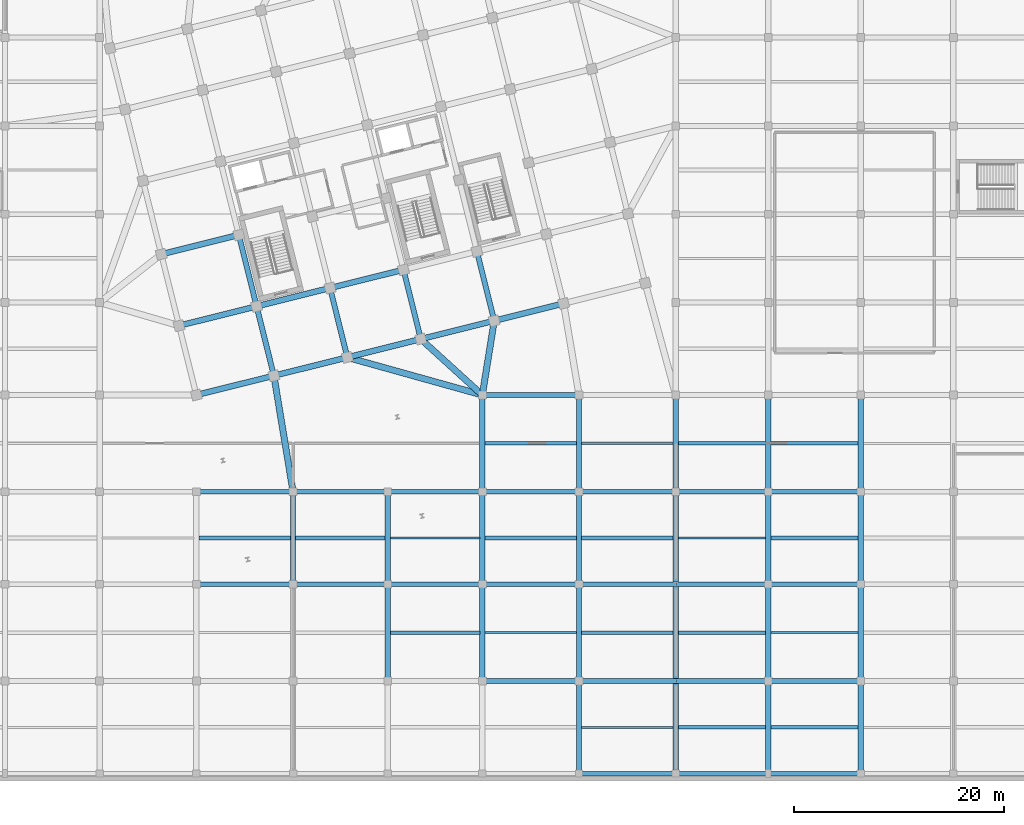
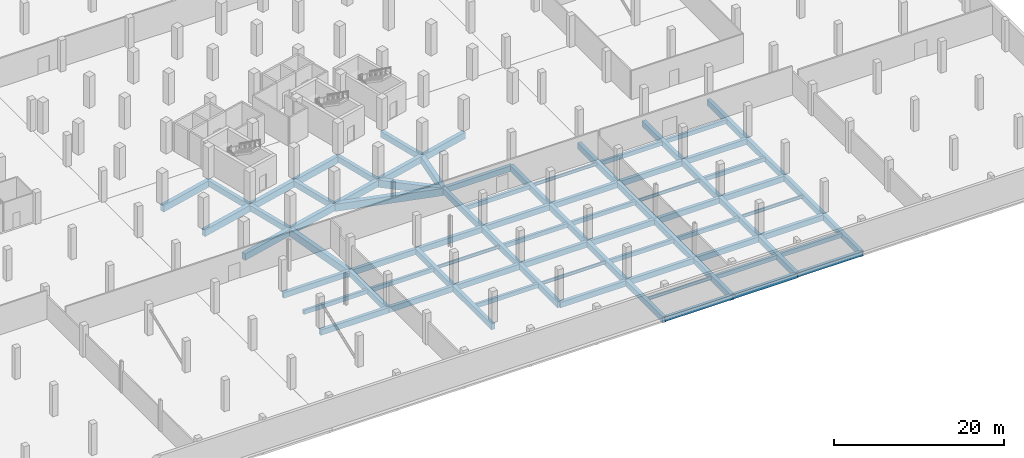
# One storey, part 10 of 31: 81 beams.
"""IFC4 building model written with IfcOpenShell, lengths in metres."""

from ifc_helpers import new_model, si_unit, direction, frame, origin, origin_2d, place, context, subcontext, project, spatial, rectangle, i_section, extrude, material, material_profile, profile_set, type_object, element, save


model = new_model("IFC4")

# Units and contexts
model_context = context("Model", 3, precision=1e-05, world=origin(), true_north=direction((0.0, 1.0)))
body_context = subcontext(model_context, "Body", "Model", "MODEL_VIEW")
ifc_project = project(units=[si_unit("LENGTHUNIT", "METRE"), si_unit("AREAUNIT", "SQUARE_METRE"), si_unit("VOLUMEUNIT", "CUBIC_METRE"), si_unit("PLANEANGLEUNIT", "RADIAN"), si_unit("MASSUNIT", "GRAM", prefix="KILO")], contexts=[model_context])

# Site, building, storey
site_placement = place(None, origin())
site = spatial("IfcSite", under=ifc_project, at=site_placement, CompositionType="ELEMENT")
building_placement = place(site_placement, origin())
building = spatial("IfcBuilding", under=site, at=building_placement, Name="Meriwether Solvik Hall", CompositionType="ELEMENT")
storey_placement = place(building_placement, frame((0.0, 0.0, -4.5)))
storey = spatial("IfcBuildingStorey", under=building, at=storey_placement, Name="B01", CompositionType="ELEMENT", Elevation=-4.5)

# Beams
ifc_material_1 = material(Name="Concrete C40/50", Category="concrete")
ifc_material_profile_1 = material_profile(ifc_material_1, rectangle(XDim=0.35009765625, YDim=0.60009765625, at=origin_2d()), Name="RCB-350X600")
ifc_profile_set_1 = profile_set([ifc_material_profile_1], Name="Concrete C40/50")
beam_type_1 = type_object("IfcBeamType", Name="BM-RC-350X600", PredefinedType="JOIST", material=ifc_profile_set_1)
beam_1_placement = place(storey_placement, frame((68.844970703125, 27.60009765625, -0.699951171875), z_axis=(1.0, 0.0, 0.0), x_axis=(0.0, 1.0, 0.0)))
element("IfcBeam", 1, at=beam_1_placement, inside=storey, type_object=beam_type_1, Name="Secondary Floor Joist 8/C (B01)", PredefinedType="JOIST", context=body_context, shape_type="SweptSolid", body=[
    extrude(rectangle(XDim=0.35009765625, YDim=0.60009765625, at=origin_2d()), origin(), (0.0, 0.0, 1.0), 8.7099609375),
])
for number, where, z_axis, x_axis, name in (
    (2, (78.044921875, 27.60009765625, -0.699951171875), (1.0, 0.0, 0.0), (0.0, 1.0, 0.0), "Secondary Floor Joist 9/C (B01)"),
    (3, (87.044921875, 18.60009765625, -0.699951171875), (1.0, 0.0, 0.0), (0.0, 1.0, 0.0), "Secondary Floor Joist 10/B (B01)"),
):
    element("IfcBeam", number, at=place(storey_placement, frame(where, z_axis=z_axis, x_axis=x_axis)), inside=storey, type_object=beam_type_1, Name=name, PredefinedType="JOIST", context=body_context, shape_type="SweptSolid", body=[
        extrude(rectangle(XDim=0.35009765625, YDim=0.60009765625, at=origin_2d()), origin(), (0.0, 0.0, 1.0), 8.510009765625),
    ])
for number, where, z_axis, x_axis, name in (
    (4, (96.044921875, 27.60009765625, -0.699951171875), (1.0, 0.0, 0.0), (0.0, 1.0, 0.0), "Secondary Floor Joist 11/C (B01)"),
    (5, (96.044921875, 36.60009765625, -0.699951171875), (1.0, 0.0, 0.0), (0.0, 1.0, 0.0), "Secondary Floor Joist 11/D (B01)"),
    (6, (105.2451171875, 18.60009765625, -0.699951171875), (1.0, 0.0, 0.0), (0.0, 1.0, 0.0), "Secondary Floor Joist 12/B (B01)"),
    (7, (105.2451171875, 27.60009765625, -0.699951171875), (1.0, 0.0, 0.0), (0.0, 1.0, 0.0), "Secondary Floor Joist 12/C (B01)"),
):
    element("IfcBeam", number, at=place(storey_placement, frame(where, z_axis=z_axis, x_axis=x_axis)), inside=storey, type_object=beam_type_1, Name=name, PredefinedType="JOIST", context=body_context, shape_type="SweptSolid", body=[
        extrude(rectangle(XDim=0.35009765625, YDim=0.60009765625, at=origin_2d()), origin(), (0.0, 0.0, 1.0), 8.7099609375),
    ])
for number, where, z_axis, x_axis, name in (
    (8, (114.445068359375, 9.60009765625, -0.699951171875), (1.0, 0.0, 0.0), (0.0, 1.0, 0.0), "Secondary Floor Joist 13/A (B01)"),
    (9, (114.445068359375, 18.60009765625, -0.699951171875), (1.0, 0.0, 0.0), (0.0, 1.0, 0.0), "Secondary Floor Joist 13/B (B01)"),
    (10, (114.445068359375, 36.60009765625, -0.699951171875), (1.0, 0.0, 0.0), (0.0, 1.0, 0.0), "Secondary Floor Joist 13/D (B01)"),
    (11, (123.2451171875, 9.60009765625, -0.6298828125), (1.0, 0.0, 0.0), (0.0, 1.0, 0.0), "Secondary Floor Joist 14/A (B01)"),
    (12, (123.2451171875, 27.60009765625, -0.6298828125), (1.0, 0.0, 0.0), (0.0, 1.0, 0.0), "Secondary Floor Joist 14/C (B01)"),
    (13, (123.2451171875, 36.60009765625, -0.6298828125), (1.0, 0.0, 0.0), (0.0, 1.0, 0.0), "Secondary Floor Joist 14/D (B01)"),
):
    element("IfcBeam", number, at=place(storey_placement, frame(where, z_axis=z_axis, x_axis=x_axis)), inside=storey, type_object=beam_type_1, Name=name, PredefinedType="JOIST", context=body_context, shape_type="SweptSolid", body=[
        extrude(rectangle(XDim=0.35009765625, YDim=0.60009765625, at=origin_2d()), origin(), (0.0, 0.0, 1.0), 8.309814453125),
    ])
ifc_material_2 = material(Name="Concrete C40/50", Category="concrete")
ifc_material_profile_2 = material_profile(ifc_material_2, rectangle(XDim=0.39990234375, YDim=0.64990234375, at=origin_2d()), Name="RCB-400X650")
ifc_profile_set_2 = profile_set([ifc_material_profile_2], Name="Concrete C40/50")
beam_type_2 = type_object("IfcBeamType", Name="BM-RC-400X650", PredefinedType="SPANDREL", material=ifc_profile_set_2)
beam_2_placement = place(storey_placement, frame((105.0, 5.199951171875, -0.72509765625), z_axis=(1.0, 0.0, 0.0), x_axis=(0.0, 1.0, 0.0)))
element("IfcBeam", 14, at=beam_2_placement, inside=storey, type_object=beam_type_2, Name="Podium Girder A:12-13 (B01)", PredefinedType="SPANDREL", context=body_context, shape_type="SweptSolid", body=[
    extrude(rectangle(XDim=0.39990234375, YDim=0.64990234375, at=origin_2d()), origin(), (0.0, 0.0, 1.0), 9.199951171875),
])
for number, where, z_axis, x_axis, name in (
    (15, (114.199951171875, 5.199951171875, -0.72509765625), (1.0, 0.0, 0.0), (0.0, 1.0, 0.0), "Podium Girder A:13-14 (B01)"),
    (16, (123.0, 5.199951171875, -0.655029296875), (1.0, 0.0, 0.0), (0.0, 1.0, 0.0), "Podium Girder A:14-15 (B01)"),
):
    element("IfcBeam", number, at=place(storey_placement, frame(where, z_axis=z_axis, x_axis=x_axis)), inside=storey, type_object=beam_type_2, Name=name, PredefinedType="SPANDREL", context=body_context, shape_type="SweptSolid", body=[
        extrude(rectangle(XDim=0.39990234375, YDim=0.64990234375, at=origin_2d()), origin(), (0.0, 0.0, 1.0), 8.800048828125),
    ])
ifc_material_3 = material(Name="Concrete C40/50", Category="concrete")
ifc_material_profile_3 = material_profile(ifc_material_3, rectangle(XDim=0.449951171875, YDim=0.800048828125, at=origin_2d()), Name="RCB-450X800")
ifc_profile_set_3 = profile_set([ifc_material_profile_3], Name="Concrete C40/50")
beam_type_3 = type_object("IfcBeamType", Name="BM-RC-450X800", PredefinedType="BEAM", material=ifc_profile_set_3)
for number, where, z_axis, x_axis, name in (
    (17, (95.800048828125, 14.0, -0.800048828125), (1.0, 0.0, 0.0), (0.0, 1.0, 0.0), "Podium Girder B:11-12 (B01)"),
    (18, (105.0, 14.0, -0.800048828125), (1.0, 0.0, 0.0), (0.0, 1.0, 0.0), "Podium Girder B:12-13 (B01)"),
):
    element("IfcBeam", number, at=place(storey_placement, frame(where, z_axis=z_axis, x_axis=x_axis)), inside=storey, type_object=beam_type_3, Name=name, PredefinedType="BEAM", context=body_context, shape_type="SweptSolid", body=[
        extrude(rectangle(XDim=0.449951171875, YDim=0.800048828125, at=origin_2d()), origin(), (0.0, 0.0, 1.0), 9.199951171875),
    ])
for number, where, z_axis, x_axis, name in (
    (19, (114.199951171875, 14.0, -0.800048828125), (1.0, 0.0, 0.0), (0.0, 1.0, 0.0), "Podium Girder B:13-14 (B01)"),
    (20, (123.0, 14.0, -0.72998046875), (1.0, 0.0, 0.0), (0.0, 1.0, 0.0), "Podium Girder B:14-15 (B01)"),
):
    element("IfcBeam", number, at=place(storey_placement, frame(where, z_axis=z_axis, x_axis=x_axis)), inside=storey, type_object=beam_type_3, Name=name, PredefinedType="BEAM", context=body_context, shape_type="SweptSolid", body=[
        extrude(rectangle(XDim=0.449951171875, YDim=0.800048828125, at=origin_2d()), origin(), (0.0, 0.0, 1.0), 8.800048828125),
    ])
beam_3_placement = place(storey_placement, frame((68.60009765625, 23.199951171875, -0.800048828125), z_axis=(1.0, 0.0, 0.0), x_axis=(0.0, 1.0, 0.0)))
element("IfcBeam", 21, at=beam_3_placement, inside=storey, type_object=beam_type_3, Name="Podium Girder C:8-9 (B01)", PredefinedType="BEAM", context=body_context, shape_type="SweptSolid", body=[
    extrude(rectangle(XDim=0.449951171875, YDim=0.800048828125, at=origin_2d()), origin(), (0.0, 0.0, 1.0), 9.199951171875),
])
for number, where, z_axis, x_axis, name in (
    (22, (77.800048828125, 23.199951171875, -0.800048828125), (1.0, 0.0, 0.0), (0.0, 1.0, 0.0), "Podium Girder C:9-10 (B01)"),
    (23, (86.800048828125, 23.199951171875, -0.800048828125), (1.0, 0.0, 0.0), (0.0, 1.0, 0.0), "Podium Girder C:10-11 (B01)"),
):
    element("IfcBeam", number, at=place(storey_placement, frame(where, z_axis=z_axis, x_axis=x_axis)), inside=storey, type_object=beam_type_3, Name=name, PredefinedType="BEAM", context=body_context, shape_type="SweptSolid", body=[
        extrude(rectangle(XDim=0.449951171875, YDim=0.800048828125, at=origin_2d()), origin(), (0.0, 0.0, 1.0), 9.0),
    ])
for number, where, z_axis, x_axis, name in (
    (24, (95.800048828125, 23.199951171875, -0.800048828125), (1.0, 0.0, 0.0), (0.0, 1.0, 0.0), "Podium Girder C:11-12 (B01)"),
    (25, (105.0, 23.199951171875, -0.800048828125), (1.0, 0.0, 0.0), (0.0, 1.0, 0.0), "Podium Girder C:12-13 (B01)"),
):
    element("IfcBeam", number, at=place(storey_placement, frame(where, z_axis=z_axis, x_axis=x_axis)), inside=storey, type_object=beam_type_3, Name=name, PredefinedType="BEAM", context=body_context, shape_type="SweptSolid", body=[
        extrude(rectangle(XDim=0.449951171875, YDim=0.800048828125, at=origin_2d()), origin(), (0.0, 0.0, 1.0), 9.199951171875),
    ])
for number, where, z_axis, x_axis, name in (
    (26, (114.199951171875, 23.199951171875, -0.800048828125), (1.0, 0.0, 0.0), (0.0, 1.0, 0.0), "Podium Girder C:13-14 (B01)"),
    (27, (123.0, 23.199951171875, -0.72998046875), (1.0, 0.0, 0.0), (0.0, 1.0, 0.0), "Podium Girder C:14-15 (B01)"),
):
    element("IfcBeam", number, at=place(storey_placement, frame(where, z_axis=z_axis, x_axis=x_axis)), inside=storey, type_object=beam_type_3, Name=name, PredefinedType="BEAM", context=body_context, shape_type="SweptSolid", body=[
        extrude(rectangle(XDim=0.449951171875, YDim=0.800048828125, at=origin_2d()), origin(), (0.0, 0.0, 1.0), 8.800048828125),
    ])
beam_4_placement = place(storey_placement, frame((68.60009765625, 32.0, -0.800048828125), z_axis=(1.0, 0.0, 0.0), x_axis=(0.0, 1.0, 0.0)))
element("IfcBeam", 28, at=beam_4_placement, inside=storey, type_object=beam_type_3, Name="Podium Girder D:8-9 (B01)", PredefinedType="BEAM", context=body_context, shape_type="SweptSolid", body=[
    extrude(rectangle(XDim=0.449951171875, YDim=0.800048828125, at=origin_2d()), origin(), (0.0, 0.0, 1.0), 9.199951171875),
])
for number, where, z_axis, x_axis, name in (
    (29, (77.800048828125, 32.0, -0.800048828125), (1.0, 0.0, 0.0), (0.0, 1.0, 0.0), "Podium Girder D:9-10 (B01)"),
    (30, (86.800048828125, 32.0, -0.800048828125), (1.0, 0.0, 0.0), (0.0, 1.0, 0.0), "Podium Girder D:10-11 (B01)"),
):
    element("IfcBeam", number, at=place(storey_placement, frame(where, z_axis=z_axis, x_axis=x_axis)), inside=storey, type_object=beam_type_3, Name=name, PredefinedType="BEAM", context=body_context, shape_type="SweptSolid", body=[
        extrude(rectangle(XDim=0.449951171875, YDim=0.800048828125, at=origin_2d()), origin(), (0.0, 0.0, 1.0), 9.0),
    ])
for number, where, z_axis, x_axis, name in (
    (31, (95.800048828125, 32.0, -0.800048828125), (1.0, 0.0, 0.0), (0.0, 1.0, 0.0), "Podium Girder D:11-12 (B01)"),
    (32, (105.0, 32.0, -0.800048828125), (1.0, 0.0, 0.0), (0.0, 1.0, 0.0), "Podium Girder D:12-13 (B01)"),
):
    element("IfcBeam", number, at=place(storey_placement, frame(where, z_axis=z_axis, x_axis=x_axis)), inside=storey, type_object=beam_type_3, Name=name, PredefinedType="BEAM", context=body_context, shape_type="SweptSolid", body=[
        extrude(rectangle(XDim=0.449951171875, YDim=0.800048828125, at=origin_2d()), origin(), (0.0, 0.0, 1.0), 9.199951171875),
    ])
for number, where, z_axis, x_axis, name in (
    (33, (114.199951171875, 32.0, -0.800048828125), (1.0, 0.0, 0.0), (0.0, 1.0, 0.0), "Podium Girder D:13-14 (B01)"),
    (34, (123.0, 32.0, -0.72998046875), (1.0, 0.0, 0.0), (0.0, 1.0, 0.0), "Podium Girder D:14-15 (B01)"),
):
    element("IfcBeam", number, at=place(storey_placement, frame(where, z_axis=z_axis, x_axis=x_axis)), inside=storey, type_object=beam_type_3, Name=name, PredefinedType="BEAM", context=body_context, shape_type="SweptSolid", body=[
        extrude(rectangle(XDim=0.449951171875, YDim=0.800048828125, at=origin_2d()), origin(), (0.0, 0.0, 1.0), 8.800048828125),
    ])
beam_5_placement = place(storey_placement, frame((95.800048828125, 41.199951171875, -0.800048828125), z_axis=(1.0, 0.0, 0.0), x_axis=(0.0, 1.0, 0.0)))
element("IfcBeam", 35, at=beam_5_placement, inside=storey, type_object=beam_type_3, Name="Podium Girder E:11-12 (B01)", PredefinedType="BEAM", context=body_context, shape_type="SweptSolid", body=[
    extrude(rectangle(XDim=0.449951171875, YDim=0.800048828125, at=origin_2d()), origin(), (0.0, 0.0, 1.0), 9.199951171875),
])
ifc_material_4 = material(Name="Concrete C40/50", Category="concrete")
ifc_material_profile_4 = material_profile(ifc_material_4, rectangle(XDim=0.5, YDim=0.85009765625, at=origin_2d()), Name="RCB-500X850")
ifc_profile_set_4 = profile_set([ifc_material_profile_4], Name="Concrete C40/50")
beam_type_4 = type_object("IfcBeamType", Name="BM-RC-500X850", PredefinedType="BEAM", material=ifc_profile_set_4)
beam_6_placement = place(storey_placement, frame((77.800048828125, 23.199951171875, -0.824951171875), z_axis=(0.0, 1.0, 0.0), x_axis=(-1.0, 0.0, 0.0)))
element("IfcBeam", 36, at=beam_6_placement, inside=storey, type_object=beam_type_4, Name="Podium Girder 9:C-D (B01)", PredefinedType="BEAM", context=body_context, shape_type="SweptSolid", body=[
    extrude(rectangle(XDim=0.5, YDim=0.85009765625, at=origin_2d()), origin(), (0.0, 0.0, 1.0), 8.800048828125),
])
beam_7_placement = place(storey_placement, frame((86.800048828125, 14.0, -0.824951171875), z_axis=(0.0, 1.0, 0.0), x_axis=(-1.0, 0.0, 0.0)))
element("IfcBeam", 37, at=beam_7_placement, inside=storey, type_object=beam_type_4, Name="Podium Girder 10:B-C (B01)", PredefinedType="BEAM", context=body_context, shape_type="SweptSolid", body=[
    extrude(rectangle(XDim=0.5, YDim=0.85009765625, at=origin_2d()), origin(), (0.0, 0.0, 1.0), 9.199951171875),
])
beam_8_placement = place(storey_placement, frame((86.800048828125, 23.199951171875, -0.824951171875), z_axis=(0.0, 1.0, 0.0), x_axis=(-1.0, 0.0, 0.0)))
element("IfcBeam", 38, at=beam_8_placement, inside=storey, type_object=beam_type_4, Name="Podium Girder 10:C-D (B01)", PredefinedType="BEAM", context=body_context, shape_type="SweptSolid", body=[
    extrude(rectangle(XDim=0.5, YDim=0.85009765625, at=origin_2d()), origin(), (0.0, 0.0, 1.0), 8.800048828125),
])
beam_9_placement = place(storey_placement, frame((95.800048828125, 14.0, -0.824951171875), z_axis=(0.0, 1.0, 0.0), x_axis=(-1.0, 0.0, 0.0)))
element("IfcBeam", 39, at=beam_9_placement, inside=storey, type_object=beam_type_4, Name="Podium Girder 11:B-C (B01)", PredefinedType="BEAM", context=body_context, shape_type="SweptSolid", body=[
    extrude(rectangle(XDim=0.5, YDim=0.85009765625, at=origin_2d()), origin(), (0.0, 0.0, 1.0), 9.199951171875),
])
beam_10_placement = place(storey_placement, frame((95.800048828125, 23.199951171875, -0.824951171875), z_axis=(0.0, 1.0, 0.0), x_axis=(-1.0, 0.0, 0.0)))
element("IfcBeam", 40, at=beam_10_placement, inside=storey, type_object=beam_type_4, Name="Podium Girder 11:C-D (B01)", PredefinedType="BEAM", context=body_context, shape_type="SweptSolid", body=[
    extrude(rectangle(XDim=0.5, YDim=0.85009765625, at=origin_2d()), origin(), (0.0, 0.0, 1.0), 8.800048828125),
])
beam_11_placement = place(storey_placement, frame((95.800048828125, 32.0, -0.824951171875), z_axis=(0.0, 1.0, 0.0), x_axis=(-1.0, 0.0, 0.0)))
element("IfcBeam", 41, at=beam_11_placement, inside=storey, type_object=beam_type_4, Name="Podium Girder 11:D-E (B01)", PredefinedType="BEAM", context=body_context, shape_type="SweptSolid", body=[
    extrude(rectangle(XDim=0.5, YDim=0.85009765625, at=origin_2d()), origin(), (0.0, 0.0, 1.0), 9.199951171875),
])
beam_12_placement = place(storey_placement, frame((105.0, 5.199951171875, -0.824951171875), z_axis=(0.0, 1.0, 0.0), x_axis=(-1.0, 0.0, 0.0)))
element("IfcBeam", 42, at=beam_12_placement, inside=storey, type_object=beam_type_4, Name="Podium Girder 12:A-B (B01)", PredefinedType="BEAM", context=body_context, shape_type="SweptSolid", body=[
    extrude(rectangle(XDim=0.5, YDim=0.85009765625, at=origin_2d()), origin(), (0.0, 0.0, 1.0), 8.800048828125),
])
beam_13_placement = place(storey_placement, frame((105.0, 14.0, -0.824951171875), z_axis=(0.0, 1.0, 0.0), x_axis=(-1.0, 0.0, 0.0)))
element("IfcBeam", 43, at=beam_13_placement, inside=storey, type_object=beam_type_4, Name="Podium Girder 12:B-C (B01)", PredefinedType="BEAM", context=body_context, shape_type="SweptSolid", body=[
    extrude(rectangle(XDim=0.5, YDim=0.85009765625, at=origin_2d()), origin(), (0.0, 0.0, 1.0), 9.199951171875),
])
beam_14_placement = place(storey_placement, frame((105.0, 23.199951171875, -0.824951171875), z_axis=(0.0, 1.0, 0.0), x_axis=(-1.0, 0.0, 0.0)))
element("IfcBeam", 44, at=beam_14_placement, inside=storey, type_object=beam_type_4, Name="Podium Girder 12:C-D (B01)", PredefinedType="BEAM", context=body_context, shape_type="SweptSolid", body=[
    extrude(rectangle(XDim=0.5, YDim=0.85009765625, at=origin_2d()), origin(), (0.0, 0.0, 1.0), 8.800048828125),
])
beam_15_placement = place(storey_placement, frame((105.0, 32.0, -0.824951171875), z_axis=(0.0, 1.0, 0.0), x_axis=(-1.0, 0.0, 0.0)))
element("IfcBeam", 45, at=beam_15_placement, inside=storey, type_object=beam_type_4, Name="Podium Girder 12:D-E (B01)", PredefinedType="BEAM", context=body_context, shape_type="SweptSolid", body=[
    extrude(rectangle(XDim=0.5, YDim=0.85009765625, at=origin_2d()), origin(), (0.0, 0.0, 1.0), 9.199951171875),
])
beam_16_placement = place(storey_placement, frame((114.199951171875, 5.199951171875, -0.824951171875), z_axis=(0.0, 1.0, 0.0), x_axis=(-1.0, 0.0, 0.0)))
element("IfcBeam", 46, at=beam_16_placement, inside=storey, type_object=beam_type_4, Name="Podium Girder 13:A-B (B01)", PredefinedType="BEAM", context=body_context, shape_type="SweptSolid", body=[
    extrude(rectangle(XDim=0.5, YDim=0.85009765625, at=origin_2d()), origin(), (0.0, 0.0, 1.0), 8.800048828125),
])
beam_17_placement = place(storey_placement, frame((114.199951171875, 14.0, -0.824951171875), z_axis=(0.0, 1.0, 0.0), x_axis=(-1.0, 0.0, 0.0)))
element("IfcBeam", 47, at=beam_17_placement, inside=storey, type_object=beam_type_4, Name="Podium Girder 13:B-C (B01)", PredefinedType="BEAM", context=body_context, shape_type="SweptSolid", body=[
    extrude(rectangle(XDim=0.5, YDim=0.85009765625, at=origin_2d()), origin(), (0.0, 0.0, 1.0), 9.199951171875),
])
beam_18_placement = place(storey_placement, frame((114.199951171875, 23.199951171875, -0.824951171875), z_axis=(0.0, 1.0, 0.0), x_axis=(-1.0, 0.0, 0.0)))
element("IfcBeam", 48, at=beam_18_placement, inside=storey, type_object=beam_type_4, Name="Podium Girder 13:C-D (B01)", PredefinedType="BEAM", context=body_context, shape_type="SweptSolid", body=[
    extrude(rectangle(XDim=0.5, YDim=0.85009765625, at=origin_2d()), origin(), (0.0, 0.0, 1.0), 8.800048828125),
])
beam_19_placement = place(storey_placement, frame((114.199951171875, 32.0, -0.824951171875), z_axis=(0.0, 1.0, 0.0), x_axis=(-1.0, 0.0, 0.0)))
element("IfcBeam", 49, at=beam_19_placement, inside=storey, type_object=beam_type_4, Name="Podium Girder 13:D-E (B01)", PredefinedType="BEAM", context=body_context, shape_type="SweptSolid", body=[
    extrude(rectangle(XDim=0.5, YDim=0.85009765625, at=origin_2d()), origin(), (0.0, 0.0, 1.0), 9.199951171875),
])
beam_20_placement = place(storey_placement, frame((123.0, 5.199951171875, -0.7548828125), z_axis=(0.0, 1.0, 0.0), x_axis=(-1.0, 0.0, 0.0)))
element("IfcBeam", 50, at=beam_20_placement, inside=storey, type_object=beam_type_4, Name="Podium Girder 14:A-B (B01)", PredefinedType="BEAM", context=body_context, shape_type="SweptSolid", body=[
    extrude(rectangle(XDim=0.5, YDim=0.85009765625, at=origin_2d()), origin(), (0.0, 0.0, 1.0), 8.800048828125),
])
beam_21_placement = place(storey_placement, frame((123.0, 14.0, -0.7548828125), z_axis=(0.0, 1.0, 0.0), x_axis=(-1.0, 0.0, 0.0)))
element("IfcBeam", 51, at=beam_21_placement, inside=storey, type_object=beam_type_4, Name="Podium Girder 14:B-C (B01)", PredefinedType="BEAM", context=body_context, shape_type="SweptSolid", body=[
    extrude(rectangle(XDim=0.5, YDim=0.85009765625, at=origin_2d()), origin(), (0.0, 0.0, 1.0), 9.199951171875),
])
beam_22_placement = place(storey_placement, frame((123.0, 23.199951171875, -0.7548828125), z_axis=(0.0, 1.0, 0.0), x_axis=(-1.0, 0.0, 0.0)))
element("IfcBeam", 52, at=beam_22_placement, inside=storey, type_object=beam_type_4, Name="Podium Girder 14:C-D (B01)", PredefinedType="BEAM", context=body_context, shape_type="SweptSolid", body=[
    extrude(rectangle(XDim=0.5, YDim=0.85009765625, at=origin_2d()), origin(), (0.0, 0.0, 1.0), 8.800048828125),
])
beam_23_placement = place(storey_placement, frame((123.0, 32.0, -0.7548828125), z_axis=(0.0, 1.0, 0.0), x_axis=(-1.0, 0.0, 0.0)))
element("IfcBeam", 53, at=beam_23_placement, inside=storey, type_object=beam_type_4, Name="Podium Girder 14:D-E (B01)", PredefinedType="BEAM", context=body_context, shape_type="SweptSolid", body=[
    extrude(rectangle(XDim=0.5, YDim=0.85009765625, at=origin_2d()), origin(), (0.0, 0.0, 1.0), 9.199951171875),
])
beam_24_placement = place(storey_placement, frame((131.800048828125, 5.199951171875, -0.7548828125), z_axis=(0.0, 1.0, 0.0), x_axis=(-1.0, 0.0, 0.0)))
element("IfcBeam", 54, at=beam_24_placement, inside=storey, type_object=beam_type_4, Name="Podium Girder 15:A-B (B01)", PredefinedType="BEAM", context=body_context, shape_type="SweptSolid", body=[
    extrude(rectangle(XDim=0.5, YDim=0.85009765625, at=origin_2d()), origin(), (0.0, 0.0, 1.0), 8.800048828125),
])
beam_25_placement = place(storey_placement, frame((131.800048828125, 14.0, -0.7548828125), z_axis=(0.0, 1.0, 0.0), x_axis=(-1.0, 0.0, 0.0)))
element("IfcBeam", 55, at=beam_25_placement, inside=storey, type_object=beam_type_4, Name="Podium Girder 15:B-C (B01)", PredefinedType="BEAM", context=body_context, shape_type="SweptSolid", body=[
    extrude(rectangle(XDim=0.5, YDim=0.85009765625, at=origin_2d()), origin(), (0.0, 0.0, 1.0), 9.199951171875),
])
beam_26_placement = place(storey_placement, frame((131.800048828125, 23.199951171875, -0.7548828125), z_axis=(0.0, 1.0, 0.0), x_axis=(-1.0, 0.0, 0.0)))
element("IfcBeam", 56, at=beam_26_placement, inside=storey, type_object=beam_type_4, Name="Podium Girder 15:C-D (B01)", PredefinedType="BEAM", context=body_context, shape_type="SweptSolid", body=[
    extrude(rectangle(XDim=0.5, YDim=0.85009765625, at=origin_2d()), origin(), (0.0, 0.0, 1.0), 8.800048828125),
])
beam_27_placement = place(storey_placement, frame((131.800048828125, 32.0, -0.7548828125), z_axis=(0.0, 1.0, 0.0), x_axis=(-1.0, 0.0, 0.0)))
element("IfcBeam", 57, at=beam_27_placement, inside=storey, type_object=beam_type_4, Name="Podium Girder 15:D-E (B01)", PredefinedType="BEAM", context=body_context, shape_type="SweptSolid", body=[
    extrude(rectangle(XDim=0.5, YDim=0.85009765625, at=origin_2d()), origin(), (0.0, 0.0, 1.0), 9.199951171875),
])
beam_28_placement = place(storey_placement, frame((75.974365234375, 43.03857421875, -0.824951171875), z_axis=(-0.241944251278, 0.970290152106, 0.0), x_axis=(-0.970290152106, -0.241944251278, 0.0)))
element("IfcBeam", 58, at=beam_28_placement, inside=storey, type_object=beam_type_4, Name="Tower Girder T2:TA-TB (B01)", PredefinedType="BEAM", context=body_context, shape_type="SweptSolid", body=[
    extrude(rectangle(XDim=0.5, YDim=0.85009765625, at=origin_2d()), origin(), (0.0, 0.0, 1.0), 6.80029296875),
])
beam_29_placement = place(storey_placement, frame((74.3291015625, 49.63671875, -0.824951171875), z_axis=(-0.241911879182, 0.970298223594, 0.0), x_axis=(-0.970298223594, -0.241911879182, 0.0)))
element("IfcBeam", 59, at=beam_29_placement, inside=storey, type_object=beam_type_4, Name="Tower Girder T2:TB-TC (B01)", PredefinedType="BEAM", context=body_context, shape_type="SweptSolid", body=[
    extrude(rectangle(XDim=0.5, YDim=0.85009765625, at=origin_2d()), origin(), (0.0, 0.0, 1.0), 7.0),
])
beam_30_placement = place(storey_placement, frame((82.96044921875, 44.780517578125, -0.824951171875), z_axis=(-0.241918877831, 0.970296478685, 0.0), x_axis=(-0.970296478685, -0.241918877831, 0.0)))
element("IfcBeam", 60, at=beam_30_placement, inside=storey, type_object=beam_type_4, Name="Tower Girder T3:TA-TB (B01)", PredefinedType="BEAM", context=body_context, shape_type="SweptSolid", body=[
    extrude(rectangle(XDim=0.5, YDim=0.85009765625, at=origin_2d()), origin(), (0.0, 0.0, 1.0), 6.7998046875),
])
beam_31_placement = place(storey_placement, frame((89.946533203125, 46.522216796875, -0.824951171875), z_axis=(-0.24191045034, 0.970298579828, 0.0), x_axis=(-0.970298579828, -0.24191045034, 0.0)))
element("IfcBeam", 61, at=beam_31_placement, inside=storey, type_object=beam_type_4, Name="Tower Girder T4:TA-TB (B01)", PredefinedType="BEAM", context=body_context, shape_type="SweptSolid", body=[
    extrude(rectangle(XDim=0.5, YDim=0.85009765625, at=origin_2d()), origin(), (0.0, 0.0, 1.0), 6.800048828125),
])
beam_32_placement = place(storey_placement, frame((96.9326171875, 48.26416015625, -0.824951171875), z_axis=(-0.241918877831, 0.970296478685, 0.0), x_axis=(-0.970296478685, -0.241918877831, 0.0)))
element("IfcBeam", 62, at=beam_32_placement, inside=storey, type_object=beam_type_4, Name="Tower Girder T5:TA-TB (B01)", PredefinedType="BEAM", context=body_context, shape_type="SweptSolid", body=[
    extrude(rectangle(XDim=0.5, YDim=0.85009765625, at=origin_2d()), origin(), (0.0, 0.0, 1.0), 6.7998046875),
])
ifc_material_5 = material(Name="Concrete C40/50", Category="concrete")
ifc_material_profile_5 = material_profile(ifc_material_5, rectangle(XDim=0.550048828125, YDim=0.949951171875, at=origin_2d()), Name="RCB-550X950")
ifc_profile_set_5 = profile_set([ifc_material_profile_5], Name="Concrete C40/50")
beam_type_5 = type_object("IfcBeamType", Name="BM-RC-550X950", PredefinedType="BEAM", material=ifc_profile_set_5)
beam_33_placement = place(storey_placement, frame((68.60009765625, 41.199951171875, -0.875), z_axis=(0.970295366785, 0.241923337436, 0.0), x_axis=(-0.241923337436, 0.970295366785, 0.0)))
element("IfcBeam", 63, at=beam_33_placement, inside=storey, type_object=beam_type_5, Name="Tower Girder TA:T1-T2 (B01)", PredefinedType="BEAM", context=body_context, shape_type="SweptSolid", body=[
    extrude(rectangle(XDim=0.550048828125, YDim=0.949951171875, at=origin_2d()), origin(), (0.0, 0.0, 1.0), 7.60009765625),
])
for number, where, z_axis, x_axis, name in (
    (64, (75.974365234375, 43.03857421875, -0.875), (0.970291911955, 0.241937193493, 0.0), (-0.241937193493, 0.970291911955, 0.0), "Tower Girder TA:T2-T3 (B01)"),
    (65, (82.96044921875, 44.780517578125, -0.875), (0.970299871507, 0.241905269381, 0.0), (-0.241905269381, 0.970299871507, 0.0), "Tower Girder TA:T3-T4 (B01)"),
    (66, (89.946533203125, 46.522216796875, -0.875), (0.970291911955, 0.241937193493, 0.0), (-0.241937193493, 0.970291911955, 0.0), "Tower Girder TA:T4-T5 (B01)"),
):
    element("IfcBeam", number, at=place(storey_placement, frame(where, z_axis=z_axis, x_axis=x_axis)), inside=storey, type_object=beam_type_5, Name=name, PredefinedType="BEAM", context=body_context, shape_type="SweptSolid", body=[
        extrude(rectangle(XDim=0.550048828125, YDim=0.949951171875, at=origin_2d()), origin(), (0.0, 0.0, 1.0), 7.199951171875),
    ])
beam_34_placement = place(storey_placement, frame((96.9326171875, 48.26416015625, -0.875), z_axis=(0.970298579828, 0.24191045034, 0.0), x_axis=(-0.24191045034, 0.970298579828, 0.0)))
element("IfcBeam", 67, at=beam_34_placement, inside=storey, type_object=beam_type_5, Name="Tower Girder TA:T5-T6 (B01)", PredefinedType="BEAM", context=body_context, shape_type="SweptSolid", body=[
    extrude(rectangle(XDim=0.550048828125, YDim=0.949951171875, at=origin_2d()), origin(), (0.0, 0.0, 1.0), 6.800048828125),
])
beam_35_placement = place(storey_placement, frame((66.954833984375, 47.798095703125, -0.875), z_axis=(0.970295366785, 0.241923337436, 0.0), x_axis=(-0.241923337436, 0.970295366785, 0.0)))
element("IfcBeam", 68, at=beam_35_placement, inside=storey, type_object=beam_type_5, Name="Tower Girder TB:T1-T2 (B01)", PredefinedType="BEAM", context=body_context, shape_type="SweptSolid", body=[
    extrude(rectangle(XDim=0.550048828125, YDim=0.949951171875, at=origin_2d()), origin(), (0.0, 0.0, 1.0), 7.60009765625),
])
beam_36_placement = place(storey_placement, frame((74.3291015625, 49.63671875, -0.875), z_axis=(0.970301855688, 0.241897310542, 0.0), x_axis=(-0.241897310542, 0.970301855688, 0.0)))
element("IfcBeam", 69, at=beam_36_placement, inside=storey, type_object=beam_type_5, Name="Tower Girder TB:T2-T3 (B01)", PredefinedType="BEAM", context=body_context, shape_type="SweptSolid", body=[
    extrude(rectangle(XDim=0.550048828125, YDim=0.949951171875, at=origin_2d()), origin(), (0.0, 0.0, 1.0), 7.2001953125),
])
beam_37_placement = place(storey_placement, frame((81.3154296875, 51.37841796875, -0.875), z_axis=(0.970291911955, 0.241937193493, 0.0), x_axis=(-0.241937193493, 0.970291911955, 0.0)))
element("IfcBeam", 70, at=beam_37_placement, inside=storey, type_object=beam_type_5, Name="Tower Girder TB:T3-T4 (B01)", PredefinedType="BEAM", context=body_context, shape_type="SweptSolid", body=[
    extrude(rectangle(XDim=0.550048828125, YDim=0.949951171875, at=origin_2d()), origin(), (0.0, 0.0, 1.0), 7.199951171875),
])
beam_38_placement = place(storey_placement, frame((65.261474609375, 54.590087890625, -0.875), z_axis=(0.970295366785, 0.241923337436, 0.0), x_axis=(-0.241923337436, 0.970295366785, 0.0)))
element("IfcBeam", 71, at=beam_38_placement, inside=storey, type_object=beam_type_5, Name="Tower Girder TC:T1-T2 (B01)", PredefinedType="BEAM", context=body_context, shape_type="SweptSolid", body=[
    extrude(rectangle(XDim=0.550048828125, YDim=0.949951171875, at=origin_2d()), origin(), (0.0, 0.0, 1.0), 7.60009765625),
])
ifc_material_6 = material(Name="Concrete C40/50", Category="concrete")
ifc_material_profile_6 = material_profile(ifc_material_6, rectangle(XDim=0.60009765625, YDim=1.050048828125, at=origin_2d()), Name="RCB-600X1050")
ifc_profile_set_6 = profile_set([ifc_material_profile_6], Name="Concrete C40/50")
beam_type_6 = type_object("IfcBeamType", Name="BM-RC-600X1050", PredefinedType="BEAM", material=ifc_profile_set_6)
beam_39_placement = place(storey_placement, frame((75.974365234375, 43.03857421875, -0.925048828125), z_axis=(0.163174547332, -0.986597216245, 0.0), x_axis=(0.986597216245, 0.163174547332, 0.0)))
element("IfcBeam", 72, at=beam_39_placement, inside=storey, type_object=beam_type_6, Name="Diaphragm Collector Girder T2/TA-9/D (B01)", PredefinedType="BEAM", context=body_context, shape_type="SweptSolid", body=[
    extrude(rectangle(XDim=0.60009765625, YDim=1.050048828125, at=origin_2d()), origin(), (0.0, 0.0, 1.0), 11.1884765625),
])
beam_40_placement = place(storey_placement, frame((82.96044921875, 44.780517578125, -0.925048828125), z_axis=(0.963246352106, -0.268619554676, 0.0), x_axis=(0.268619554676, 0.963246352106, 0.0)))
element("IfcBeam", 73, at=beam_40_placement, inside=storey, type_object=beam_type_6, Name="Diaphragm Collector Girder T3/TA-11/E (B01)", PredefinedType="BEAM", context=body_context, shape_type="SweptSolid", body=[
    extrude(rectangle(XDim=0.60009765625, YDim=1.050048828125, at=origin_2d()), origin(), (0.0, 0.0, 1.0), 13.32958984375),
])
beam_41_placement = place(storey_placement, frame((89.946533203125, 46.522216796875, -0.925048828125), z_axis=(0.739884216785, -0.672734231144, 0.0), x_axis=(0.672734231144, 0.739884216785, 0.0)))
element("IfcBeam", 74, at=beam_41_placement, inside=storey, type_object=beam_type_6, Name="Diaphragm Collector Girder T4/TA-11/E (B01)", PredefinedType="BEAM", context=body_context, shape_type="SweptSolid", body=[
    extrude(rectangle(XDim=0.60009765625, YDim=1.050048828125, at=origin_2d()), origin(), (0.0, 0.0, 1.0), 7.911376953125),
])
beam_42_placement = place(storey_placement, frame((96.9326171875, 48.26416015625, -0.925048828125), z_axis=(-0.158303256143, -0.98739054031, 0.0), x_axis=(0.98739054031, -0.158303256143, 0.0)))
element("IfcBeam", 75, at=beam_42_placement, inside=storey, type_object=beam_type_6, Name="Diaphragm Collector Girder T5/TA-11/E (B01)", PredefinedType="BEAM", context=body_context, shape_type="SweptSolid", body=[
    extrude(rectangle(XDim=0.60009765625, YDim=1.050048828125, at=origin_2d()), origin(), (0.0, 0.0, 1.0), 7.154541015625),
])
ifc_material_7 = material(Name="Steel A992 Grade 50", Category="steel")
ifc_material_profile_7 = material_profile(ifc_material_7, i_section(OverallWidth=0.19091796875, OverallDepth=0.45703125, WebThickness=0.009033203125, FlangeThickness=0.014404296875, at=origin_2d()), Name="W18X50")
ifc_profile_set_7 = profile_set([ifc_material_profile_7], Name="Steel A992 Grade 50")
beam_type_7 = type_object("IfcBeamType", Name="BM-STL-W18X50", PredefinedType="JOIST", material=ifc_profile_set_7)
beam_43_placement = place(storey_placement, frame((87.044921875, 27.60009765625, -0.62841796875), z_axis=(1.0, 0.0, 0.0), x_axis=(0.0, 1.0, 0.0)))
element("IfcBeam", 76, at=beam_43_placement, inside=storey, type_object=beam_type_7, Name="Secondary Floor Joist 10/C (B01)", PredefinedType="JOIST", context=body_context, shape_type="SweptSolid", body=[
    extrude(i_section(OverallWidth=0.19091796875, OverallDepth=0.45703125, WebThickness=0.009033203125, FlangeThickness=0.014404296875, at=origin_2d()), origin(), (0.0, 0.0, 1.0), 8.510009765625),
])
for number, where, z_axis, x_axis, name in (
    (77, (96.044921875, 18.60009765625, -0.62841796875), (1.0, 0.0, 0.0), (0.0, 1.0, 0.0), "Secondary Floor Joist 11/B (B01)"),
    (78, (105.2451171875, 9.60009765625, -0.62841796875), (1.0, 0.0, 0.0), (0.0, 1.0, 0.0), "Secondary Floor Joist 12/A (B01)"),
    (79, (105.2451171875, 36.60009765625, -0.62841796875), (1.0, 0.0, 0.0), (0.0, 1.0, 0.0), "Secondary Floor Joist 12/D (B01)"),
):
    element("IfcBeam", number, at=place(storey_placement, frame(where, z_axis=z_axis, x_axis=x_axis)), inside=storey, type_object=beam_type_7, Name=name, PredefinedType="JOIST", context=body_context, shape_type="SweptSolid", body=[
        extrude(i_section(OverallWidth=0.19091796875, OverallDepth=0.45703125, WebThickness=0.009033203125, FlangeThickness=0.014404296875, at=origin_2d()), origin(), (0.0, 0.0, 1.0), 8.7099609375),
    ])
for number, where, z_axis, x_axis, name in (
    (80, (114.445068359375, 27.60009765625, -0.62841796875), (1.0, 0.0, 0.0), (0.0, 1.0, 0.0), "Secondary Floor Joist 13/C (B01)"),
    (81, (123.2451171875, 18.60009765625, -0.55859375), (1.0, 0.0, 0.0), (0.0, 1.0, 0.0), "Secondary Floor Joist 14/B (B01)"),
):
    element("IfcBeam", number, at=place(storey_placement, frame(where, z_axis=z_axis, x_axis=x_axis)), inside=storey, type_object=beam_type_7, Name=name, PredefinedType="JOIST", context=body_context, shape_type="SweptSolid", body=[
        extrude(i_section(OverallWidth=0.19091796875, OverallDepth=0.45703125, WebThickness=0.009033203125, FlangeThickness=0.014404296875, at=origin_2d()), origin(), (0.0, 0.0, 1.0), 8.309814453125),
    ])

save(model, "model.ifc")
